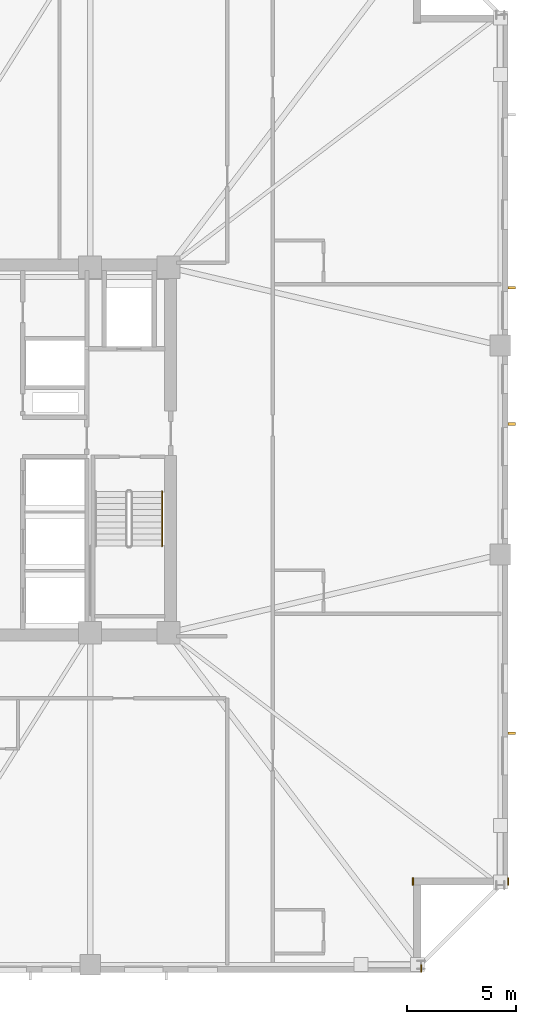
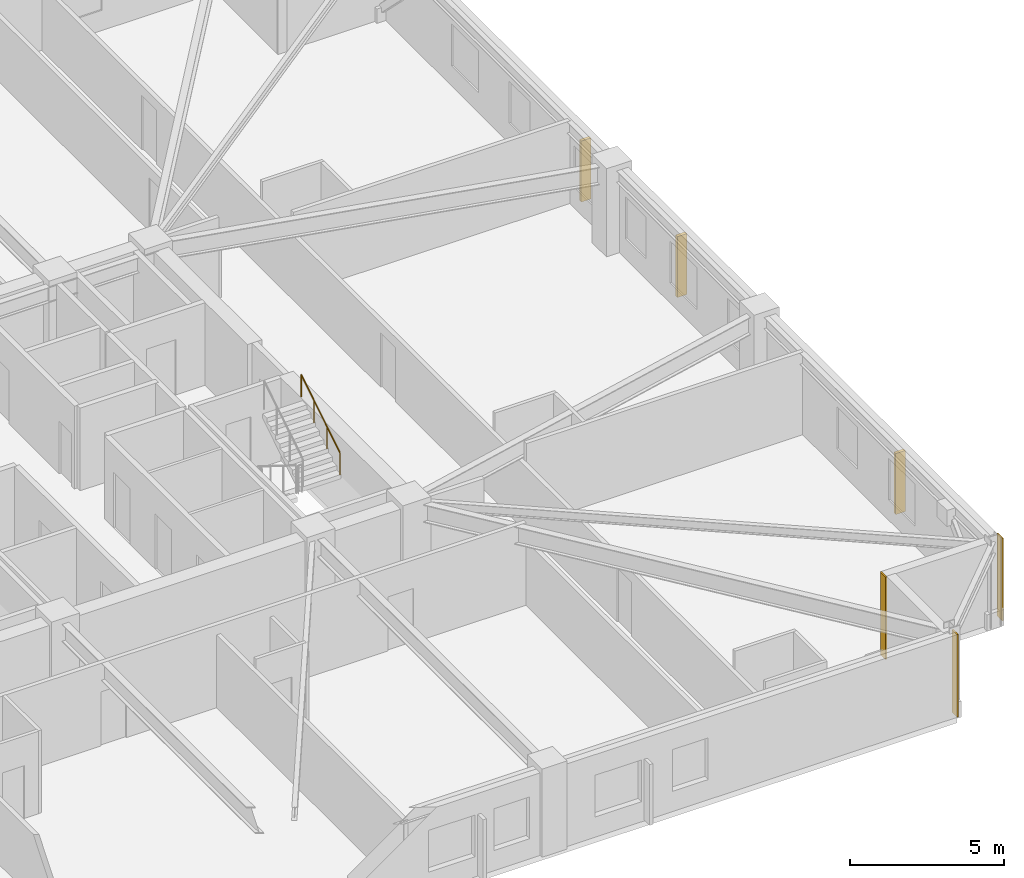
# One storey, part 8 of 10: 3 coverings, 3 shading devices, 1 railing.
"""IFC4 building model written with IfcOpenShell, lengths in metres."""

from ifc_helpers import new_model, si_unit, direction, frame, frame_2d, origin, origin_2d, place, context, subcontext, project, spatial, rectangle, circle, extrude, material, layer, layer_set, type_object, element, save


model = new_model("IFC4")

# Units and contexts
model_context = context("Model", 3, precision=1e-05, world=origin(), true_north=direction((0.0, 1.0)))
body_context = subcontext(model_context, "Body", "Model", "MODEL_VIEW")
ifc_project = project(units=[si_unit("LENGTHUNIT", "METRE"), si_unit("AREAUNIT", "SQUARE_METRE"), si_unit("VOLUMEUNIT", "CUBIC_METRE"), si_unit("PLANEANGLEUNIT", "RADIAN"), si_unit("MASSUNIT", "GRAM", prefix="KILO")], contexts=[model_context])

# Site, building, storey
site_placement = place(None, origin())
site = spatial("IfcSite", under=ifc_project, at=site_placement, CompositionType="ELEMENT")
building_placement = place(site_placement, origin())
building = spatial("IfcBuilding", under=site, at=building_placement, Name="Cairnveth Concourse Tower", CompositionType="ELEMENT")
storey_placement = place(building_placement, frame((0.0, 0.0, 109.5)))
storey = spatial("IfcBuildingStorey", under=building, at=storey_placement, Name="L29", CompositionType="ELEMENT", Elevation=109.5)

# Coverings
ifc_material_1 = material(Name="Dressed Melbourne Bluestone Cladding", Category="masonry")
ifc_layer = layer(ifc_material_1, 0.050048828125)
ifc_layer_set = layer_set([ifc_layer], Name="Dressed Melbourne Bluestone Cladding")
covering_type = type_object("IfcCoveringType", Name="DRESSED BLUESTONE PLINTH CLADDING 50", PredefinedType="CLADDING", material=ifc_layer_set)
for number, where, z_axis, x_axis, name in (
    (1, (76.02001953125, 19.340087890625, 0.0), (0.0, 0.0, 1.0), (0.0, -1.0, 0.0), "Melbourne Bluestone Corner Quoin L29-410"),
    (2, (71.639892578125, 19.340087890625, 0.0), (0.0, 0.0, 1.0), (0.0, -1.0, 0.0), "Melbourne Bluestone Corner Quoin L29-411"),
    (3, (72.02001953125, 15.340087890625, 0.0), (0.0, 0.0, 1.0), (0.0, -1.0, 0.0), "Melbourne Bluestone Corner Quoin L29-412"),
):
    element("IfcCovering", number, at=place(storey_placement, frame(where, z_axis=z_axis, x_axis=x_axis)), inside=storey, type_object=covering_type, Name=name, PredefinedType="CLADDING", context=body_context, shape_type="SweptSolid", body=[
        extrude(rectangle(XDim=0.340087890625, YDim=0.050048828125, at=frame_2d((0.169921875, 0.0))), origin(), (0.0, 0.0, 1.0), 3.280029296875),
    ])

# Shading devices
ifc_material_2 = material(Name="Architectural Bronze Anodised Aluminium 6063-T6", Category="aluminium")
shading_device_type = type_object("IfcShadingDeviceType", Name="GOTHIC BRONZE VERTICAL LANCET FIN", PredefinedType="USERDEFINED", material=ifc_material_2)
for number, where, z_axis, x_axis, name in (
    (4, (76.175048828125, 46.451171875, 0.030029296875), (0.0, 0.0, 1.0), (0.0, 1.0, 0.0), "Gothic Bronze Vertical Fin L29-6-3"),
    (5, (76.175048828125, 40.194091796875, 0.030029296875), (0.0, 0.0, 1.0), (0.0, 1.0, 0.0), "Gothic Bronze Vertical Fin L29-6-5"),
    (6, (76.175048828125, 25.979736328125, 0.030029296875), (0.0, 0.0, 1.0), (0.0, 1.0, 0.0), "Gothic Bronze Vertical Fin L29-6-9"),
):
    element("IfcShadingDevice", number, at=place(storey_placement, frame(where, z_axis=z_axis, x_axis=x_axis)), inside=storey, type_object=shading_device_type, Name=name, ObjectType="VERTICAL FIN", PredefinedType="USERDEFINED", context=body_context, shape_type="SweptSolid", body=[
        extrude(rectangle(XDim=0.1201171875, YDim=0.360107421875, at=origin_2d()), origin(), (0.0, 0.0, 1.0), 2.419921875),
    ])

# Railing
ifc_material_3 = material(Name="Steel Grade 350", Category="steel")
railing_type = type_object("IfcRailingType", Name="STAIR WALL HANDRAIL 900", PredefinedType="HANDRAIL", material=ifc_material_3)
railing_placement = place(storey_placement, frame((60.110107421875, 34.580078125, 1.925048828125)))
element("IfcRailing", 7, at=railing_placement, inside=storey, type_object=railing_type, Name="L29 ST-2 stair handrail 2", PredefinedType="HANDRAIL", context=body_context, shape_type="SweptSolid", body=[
    extrude(circle(Radius=0.02392578125, at=origin_2d()), frame((0.0, 0.0, 0.8759765625), z_axis=(0.0, 0.848007534815, 0.529984170421), x_axis=(-1.0, 0.0, 0.0)), (0.0, 0.0, 1.0), 2.9716796875),
    extrude(circle(Radius=0.02099609375, at=origin_2d()), origin(), (0.0, 0.0, 1.0), 0.851806640625),
    extrude(circle(Radius=0.02099609375, at=origin_2d()), frame((0.0, 0.840087890625, 0.52490234375)), (0.0, 0.0, 1.0), 0.851806640625),
    extrude(circle(Radius=0.02099609375, at=origin_2d()), frame((0.0, 1.679931640625, 1.050048828125)), (0.0, 0.0, 1.0), 0.851806640625),
    extrude(circle(Radius=0.02099609375, at=origin_2d()), frame((0.0, 2.52001953125, 1.574951171875)), (0.0, 0.0, 1.0), 0.851806640625),
])

save(model, "model.ifc")
